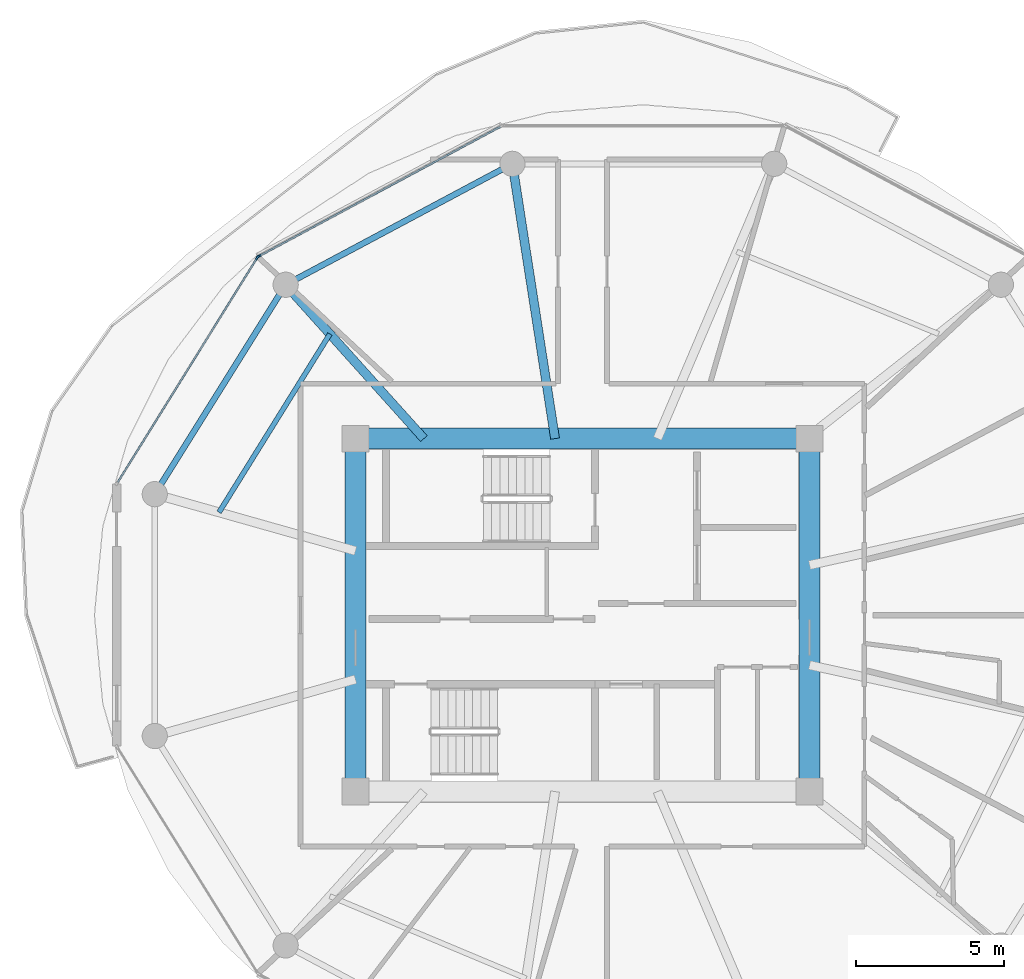
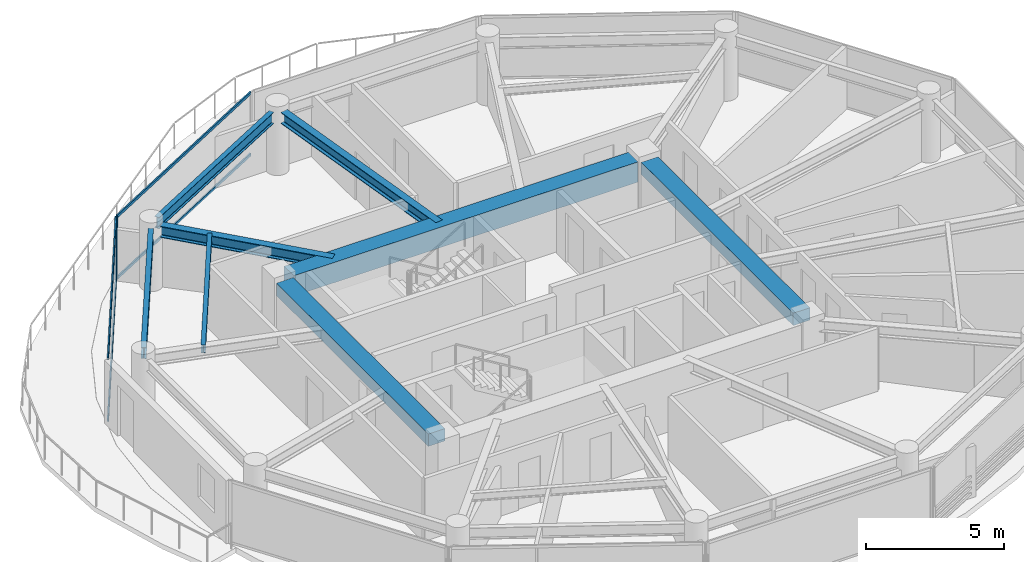
# One storey, part 4 of 24: 8 beams, 6 members, 2 elements without a shape of their own.
"""IFC4 building model written with IfcOpenShell, lengths in metres."""

from ifc_helpers import new_model, si_unit, direction, frame, origin, origin_2d, place, context, subcontext, project, spatial, rectangle, i_section, extrude, source, transform, mapped, material, layer, layer_set, material_profile, profile_set, type_object, type_shapes, element, aggregate, save


model = new_model("IFC4")

# Units and contexts
model_context = context("Model", 3, precision=1e-05, world=origin(), true_north=direction((0.0, 1.0)))
body_context = subcontext(model_context, "Body", "Model", "MODEL_VIEW")
ifc_project = project(units=[si_unit("LENGTHUNIT", "METRE"), si_unit("AREAUNIT", "SQUARE_METRE"), si_unit("VOLUMEUNIT", "CUBIC_METRE"), si_unit("PLANEANGLEUNIT", "RADIAN"), si_unit("MASSUNIT", "GRAM", prefix="KILO")], contexts=[model_context])

# Site, building, storey
site_placement = place(None, origin())
site = spatial("IfcSite", under=ifc_project, at=site_placement, CompositionType="ELEMENT")
building_placement = place(site_placement, origin())
building = spatial("IfcBuilding", under=site, at=building_placement, Name="Norrkilde Senior Care Towers", CompositionType="ELEMENT")
storey_placement = place(building_placement, frame((0.0, 0.0, 90.14990234375)))
storey = spatial("IfcBuildingStorey", under=building, at=storey_placement, Name="L27", CompositionType="ELEMENT", Elevation=90.14990234375)

# Beams
ifc_material_1 = material(Name="Concrete C60/75", Category="concrete")
ifc_material_profile_1 = material_profile(ifc_material_1, rectangle(XDim=0.699951171875, YDim=0.89990234375, at=origin_2d()), Name="RC BM 700x900")
ifc_profile_set_1 = profile_set([ifc_material_profile_1], Name="Concrete C60/75")
beam_type_1 = type_object("IfcBeamType", Name="Core Coupling Girder 700x900", PredefinedType="USERDEFINED", material=ifc_profile_set_1)
shared_shape_1 = source(origin(), body_context, "Body", "SweptSolid", [
    extrude(rectangle(XDim=0.699951171875, YDim=0.89990234375, at=origin_2d()), origin(), (0.0, 0.0, 1.0), 14.43994140625),
])
type_shapes(beam_type_1, [shared_shape_1])
beam_1_placement = place(storey_placement, frame((-35.219970703125, 5.949951171875, 2.340087890625), z_axis=(1.0, 0.0, 0.0), x_axis=(0.0, 1.0, 0.0)))
element("IfcBeam", 1, at=beam_1_placement, inside=storey, type_object=beam_type_1, Name="L27 Core W N Coupling Girder", ObjectType="GIRDER", PredefinedType="USERDEFINED", context=body_context, shape_type="MappedRepresentation", body=[
    mapped(shared_shape_1, transform((0.0, 0.0, 0.0), x_axis=(1.0, 0.0, 0.0), y_axis=(0.0, 1.0, 0.0), z_axis=(0.0, 0.0, 1.0), scale=1.0)),
])
ifc_material_profile_2 = material_profile(ifc_material_1, rectangle(XDim=0.699951171875, YDim=0.550048828125, at=origin_2d()), Name="RC BM 700x550")
ifc_profile_set_2 = profile_set([ifc_material_profile_2], Name="Concrete C60/75")
beam_type_2 = type_object("IfcBeamType", Name="Core Portal Coupling Beam 700x550", PredefinedType="USERDEFINED", material=ifc_profile_set_2)
shared_shape_2 = source(origin(), body_context, "Body", "SweptSolid", [
    extrude(rectangle(XDim=0.699951171875, YDim=0.550048828125, at=origin_2d()), origin(), (0.0, 0.0, 1.0), 11.0400390625),
])
type_shapes(beam_type_2, [shared_shape_2])
for number, where, z_axis, x_axis, name in (
    (2, (-35.64990234375, -5.52001953125, 2.51513671875), (0.0, 1.0, 0.0), (-1.0, 0.0, 0.0), "L27 Core W W Coupling Girder"),
    (3, (-20.35009765625, -5.52001953125, 2.51513671875), (0.0, 1.0, 0.0), (-1.0, 0.0, 0.0), "L27 Core W E Coupling Girder"),
):
    element("IfcBeam", number, at=place(storey_placement, frame(where, z_axis=z_axis, x_axis=x_axis)), inside=storey, type_object=beam_type_2, Name=name, ObjectType="GIRDER", PredefinedType="USERDEFINED", context=body_context, shape_type="MappedRepresentation", body=[
        mapped(shared_shape_2, transform((0.0, 0.0, 0.0), x_axis=(1.0, 0.0, 0.0), y_axis=(0.0, 1.0, 0.0), z_axis=(0.0, 0.0, 1.0), scale=1.0)),
    ])
ifc_material_2 = material(Name="Steel S355", Category="steel")
ifc_material_profile_3 = material_profile(ifc_material_2, i_section(OverallWidth=0.199951171875, OverallDepth=0.5, WebThickness=0.01025390625, FlangeThickness=0.01611328125, FilletRadius=0.02099609375, at=origin_2d()), Name="IPE 500")
ifc_profile_set_3 = profile_set([ifc_material_profile_3], Name="Steel S355")
beam_type_3 = type_object("IfcBeamType", Name="Perimeter Ring Spandrel Z2 IPE500", PredefinedType="SPANDREL", material=ifc_profile_set_3)
shared_shape_3 = source(origin(), body_context, "Body", "SweptSolid", [
    extrude(i_section(OverallWidth=0.199951171875, OverallDepth=0.5, WebThickness=0.01025390625, FlangeThickness=0.01611328125, FilletRadius=0.02099609375, at=origin_2d()), origin(), (0.0, 0.0, 1.0), 7.892333984375),
])
beam_2_placement = place(storey_placement, frame((-30.70263671875, 15.0322265625, 2.5400390625), z_axis=(-0.882350372282, -0.47059305194, 0.0), x_axis=(0.47059305194, -0.882350372282, 0.0)))
element("IfcBeam", 4, at=beam_2_placement, inside=storey, type_object=beam_type_3, Name="L27 Drum W Perimeter Spandrel 04", PredefinedType="SPANDREL", context=body_context, shape_type="MappedRepresentation", body=[
    mapped(shared_shape_3, transform((0.0, 0.0, 0.0), x_axis=(1.0, 0.0, 0.0), y_axis=(0.0, 1.0, 0.0), z_axis=(0.0, 0.0, 1.0), scale=1.0)),
])
ifc_material_profile_4 = material_profile(ifc_material_2, i_section(OverallWidth=0.300048828125, OverallDepth=0.5, WebThickness=0.014404296875, FlangeThickness=0.028076171875, FilletRadius=0.027099609375, at=origin_2d()), Name="HEB 500")
ifc_profile_set_4 = profile_set([ifc_material_profile_4], Name="Steel S355")
beam_type_4 = type_object("IfcBeamType", Name="Radial Floor Beam Z2 HEB500", PredefinedType="BEAM", material=ifc_profile_set_4)
shared_shape_4 = source(origin(), body_context, "Body", "SweptSolid", [
    extrude(i_section(OverallWidth=0.300048828125, OverallDepth=0.5, WebThickness=0.014404296875, FlangeThickness=0.028076171875, FilletRadius=0.027099609375, at=origin_2d()), origin(), (0.0, 0.0, 1.0), 8.989501953125),
])
beam_3_placement = place(storey_placement, frame((-28.924072265625, 5.949951171875, 2.5400390625), z_axis=(-0.153471298636, 0.988153105796, 0.0), x_axis=(-0.988153105796, -0.153471298636, 0.0)))
element("IfcBeam", 5, at=beam_3_placement, inside=storey, type_object=beam_type_4, Name="L27 Drum W Radial Floor Beam 04", PredefinedType="BEAM", context=body_context, shape_type="MappedRepresentation", body=[
    mapped(shared_shape_4, transform((0.0, 0.0, 0.0), x_axis=(1.0, 0.0, 0.0), y_axis=(0.0, 1.0, 0.0), z_axis=(0.0, 0.0, 1.0), scale=1.0)),
])
shared_shape_5 = source(origin(), body_context, "Body", "SweptSolid", [
    extrude(i_section(OverallWidth=0.199951171875, OverallDepth=0.5, WebThickness=0.01025390625, FlangeThickness=0.01611328125, FilletRadius=0.02099609375, at=origin_2d()), origin(), (0.0, 0.0, 1.0), 7.556396484375),
])
type_shapes(beam_type_3, [shared_shape_3, shared_shape_5])
beam_4_placement = place(storey_placement, frame((-38.210205078125, 10.810546875, 2.5400390625), z_axis=(-0.530004748437, -0.847994673706, 0.0), x_axis=(0.847994673706, -0.530004748437, 0.0)))
element("IfcBeam", 6, at=beam_4_placement, inside=storey, type_object=beam_type_3, Name="L27 Drum W Perimeter Spandrel 05", PredefinedType="SPANDREL", context=body_context, shape_type="MappedRepresentation", body=[
    mapped(shared_shape_5, transform((0.0, 0.0, 0.0), x_axis=(1.0, 0.0, 0.0), y_axis=(0.0, 1.0, 0.0), z_axis=(0.0, 0.0, 1.0), scale=1.0)),
])
shared_shape_6 = source(origin(), body_context, "Body", "SweptSolid", [
    extrude(i_section(OverallWidth=0.300048828125, OverallDepth=0.5, WebThickness=0.014404296875, FlangeThickness=0.028076171875, FilletRadius=0.027099609375, at=origin_2d()), origin(), (0.0, 0.0, 1.0), 6.587890625),
])
type_shapes(beam_type_4, [shared_shape_4, shared_shape_6])
beam_5_placement = place(storey_placement, frame((-33.345947265625, 5.949951171875, 2.5400390625), z_axis=(-0.668315438605, 0.743877997068, 0.0), x_axis=(-0.743877997068, -0.668315438605, 0.0)))
element("IfcBeam", 7, at=beam_5_placement, inside=storey, type_object=beam_type_4, Name="L27 Drum W Radial Floor Beam 05", PredefinedType="BEAM", context=body_context, shape_type="MappedRepresentation", body=[
    mapped(shared_shape_6, transform((0.0, 0.0, 0.0), x_axis=(1.0, 0.0, 0.0), y_axis=(0.0, 1.0, 0.0), z_axis=(0.0, 0.0, 1.0), scale=1.0)),
])
ifc_material_profile_5 = material_profile(ifc_material_2, i_section(OverallWidth=0.169921875, OverallDepth=0.360107421875, WebThickness=0.008056640625, FlangeThickness=0.0126953125, FilletRadius=0.01806640625, at=origin_2d()), Name="IPE 360")
ifc_profile_set_5 = profile_set([ifc_material_profile_5], Name="Steel S355")
beam_type_5 = type_object("IfcBeamType", Name="Secondary Floor Joist IPE360", PredefinedType="JOIST", material=ifc_profile_set_5)
shared_shape_7 = source(origin(), body_context, "Body", "SweptSolid", [
    extrude(i_section(OverallWidth=0.169921875, OverallDepth=0.360107421875, WebThickness=0.008056640625, FlangeThickness=0.0126953125, FilletRadius=0.01806640625, at=origin_2d()), origin(), (0.0, 0.0, 1.0), 7.080078125),
])
type_shapes(beam_type_5, [shared_shape_7])
beam_6_placement = place(storey_placement, frame((-36.514892578125, 9.47705078125, 2.610107421875), z_axis=(-0.527961009189, -0.849268610497, 0.0), x_axis=(0.849268610497, -0.527961009189, 0.0)))
element("IfcBeam", 8, at=beam_6_placement, inside=storey, type_object=beam_type_5, Name="L27 Drum W Secondary Floor Joist 2", PredefinedType="JOIST", context=body_context, shape_type="MappedRepresentation", body=[
    mapped(shared_shape_7, transform((0.0, 0.0, 0.0), x_axis=(1.0, 0.0, 0.0), y_axis=(0.0, 1.0, 0.0), z_axis=(0.0, 0.0, 1.0), scale=1.0)),
])

# Curtain wall, member
ifc_material_3 = material(Name="Triple Low-E Insulated Glazing", Category="glass")
ifc_layer = layer(ifc_material_3, 0.195068359375)
ifc_layer_set = layer_set([ifc_layer], Name="Triple Low-E Insulated Glazing")
curtain_wall_type = type_object("IfcCurtainWallType", Name="CW3 Zone 2 Assisted Living Curtain Wall", PredefinedType="NOTDEFINED", material=ifc_layer_set)
curtain_wall_1_placement = place(storey_placement, origin())
curtain_wall_1 = element("IfcCurtainWall", 9, at=curtain_wall_1_placement, inside=storey, type_object=curtain_wall_type, Name="L27 Drum W Curtain Wall 03", PredefinedType="NOTDEFINED")
ifc_material_4 = material(Name="Anodised Aluminium", Category="aluminium")
ifc_material_profile_6 = material_profile(ifc_material_4, rectangle(XDim=0.06494140625, YDim=0.159912109375, at=origin_2d()), Name="ALU MULL 65x160")
ifc_profile_set_6 = profile_set([ifc_material_profile_6], Name="Anodised Aluminium")
member_type_1 = type_object("IfcMemberType", Name="Curtain Wall Mullion Z1-Z2 65x160", PredefinedType="MULLION", material=ifc_profile_set_6)
shared_shape_8 = source(origin(), body_context, "Body", "SweptSolid", [
    extrude(rectangle(XDim=0.06494140625, YDim=0.159912109375, at=origin_2d()), origin(), (0.0, 0.0, 1.0), 2.7900390625),
])
type_shapes(member_type_1, [shared_shape_8])
member_1_placement = place(storey_placement, frame((-38.91796875, 12.0927734375, 0.0), z_axis=(0.0, 0.0, 1.0), x_axis=(-0.472769402511, 0.881186184668, 0.0)))
member_1 = element("IfcMember", 10, at=member_1_placement, type_object=member_type_1, Name="CW-3 mullion 1", PredefinedType="MULLION", context=body_context, shape_type="MappedRepresentation", body=[
    mapped(shared_shape_8, transform((0.0, 0.0, 0.0), x_axis=(1.0, 0.0, 0.0), y_axis=(0.0, 1.0, 0.0), z_axis=(0.0, 0.0, 1.0), scale=1.0)),
])

# Curtain wall, members
curtain_wall_2_placement = place(storey_placement, origin())
curtain_wall_2 = element("IfcCurtainWall", 11, at=curtain_wall_2_placement, inside=storey, type_object=curtain_wall_type, Name="L27 Drum W Curtain Wall 04", PredefinedType="NOTDEFINED")
member_2_placement = place(storey_placement, frame((-38.9638671875, 12.0498046875, 0.0), z_axis=(0.0, 0.0, 1.0), x_axis=(-0.849410171862, 0.527733228002, 0.0)))
member_2 = element("IfcMember", 12, at=member_2_placement, type_object=member_type_1, Name="CW-3 mullion 2", PredefinedType="MULLION", context=body_context, shape_type="MappedRepresentation", body=[
    mapped(shared_shape_8, transform((0.0, 0.0, 0.0), x_axis=(1.0, 0.0, 0.0), y_axis=(0.0, 1.0, 0.0), z_axis=(0.0, 0.0, 1.0), scale=1.0)),
])
ifc_material_profile_7 = material_profile(ifc_material_4, rectangle(XDim=0.06005859375, YDim=0.1201171875, at=origin_2d()), Name="ALU TRAN 60x120")
ifc_profile_set_7 = profile_set([ifc_material_profile_7], Name="Anodised Aluminium")
member_type_2 = type_object("IfcMemberType", Name="Curtain Wall Transom Typical 60x120", PredefinedType="USERDEFINED", material=ifc_profile_set_7)
shared_shape_9 = source(origin(), body_context, "Body", "SweptSolid", [
    extrude(rectangle(XDim=0.06005859375, YDim=0.1201171875, at=origin_2d()), origin(), (0.0, 0.0, 1.0), 8.88427734375),
])
member_3_placement = place(storey_placement, frame((-43.66943359375, 4.475830078125, 0.030029296875), z_axis=(0.527729466743, 0.849412508697, 0.0), x_axis=(-0.849412508697, 0.527729466743, 0.0)))
member_3 = element("IfcMember", 13, at=member_3_placement, type_object=member_type_2, Name="CW-3 transom 1.1", ObjectType="TRANSOM", PredefinedType="USERDEFINED", context=body_context, shape_type="MappedRepresentation", body=[
    mapped(shared_shape_9, transform((0.0, 0.0, 0.0), x_axis=(1.0, 0.0, 0.0), y_axis=(0.0, 1.0, 0.0), z_axis=(0.0, 0.0, 1.0), scale=1.0)),
])
member_4_placement = place(storey_placement, frame((-43.66943359375, 4.475830078125, 2.760009765625), z_axis=(0.527729466743, 0.849412508697, 0.0), x_axis=(-0.849412508697, 0.527729466743, 0.0)))
member_4 = element("IfcMember", 14, at=member_4_placement, type_object=member_type_2, Name="CW-3 transom 1.2", ObjectType="TRANSOM", PredefinedType="USERDEFINED", context=body_context, shape_type="MappedRepresentation", body=[
    mapped(shared_shape_9, transform((0.0, 0.0, 0.0), x_axis=(1.0, 0.0, 0.0), y_axis=(0.0, 1.0, 0.0), z_axis=(0.0, 0.0, 1.0), scale=1.0)),
])
aggregate(curtain_wall_2, [member_2, member_3, member_4])

# Member
shared_shape_10 = source(origin(), body_context, "Body", "SweptSolid", [
    extrude(rectangle(XDim=0.06005859375, YDim=0.1201171875, at=origin_2d()), origin(), (0.0, 0.0, 1.0), 9.220458984375),
])
type_shapes(member_type_2, [shared_shape_9, shared_shape_10])
member_5_placement = place(storey_placement, frame((-38.889404296875, 12.108154296875, 0.030029296875), z_axis=(0.881188517866, 0.472765053681, 0.0), x_axis=(-0.472765053681, 0.881188517866, 0.0)))
member_5 = element("IfcMember", 15, at=member_5_placement, type_object=member_type_2, Name="CW-3 transom 1.1", ObjectType="TRANSOM", PredefinedType="USERDEFINED", context=body_context, shape_type="MappedRepresentation", body=[
    mapped(shared_shape_10, transform((0.0, 0.0, 0.0), x_axis=(1.0, 0.0, 0.0), y_axis=(0.0, 1.0, 0.0), z_axis=(0.0, 0.0, 1.0), scale=1.0)),
])

member_6_placement = place(storey_placement, frame((-38.889404296875, 12.108154296875, 2.760009765625), z_axis=(0.881188517866, 0.472765053681, 0.0), x_axis=(-0.472765053681, 0.881188517866, 0.0)))
member_6 = element("IfcMember", 16, at=member_6_placement, type_object=member_type_2, Name="CW-3 transom 1.2", ObjectType="TRANSOM", PredefinedType="USERDEFINED", context=body_context, shape_type="MappedRepresentation", body=[
    mapped(shared_shape_10, transform((0.0, 0.0, 0.0), x_axis=(1.0, 0.0, 0.0), y_axis=(0.0, 1.0, 0.0), z_axis=(0.0, 0.0, 1.0), scale=1.0)),
])

aggregate(curtain_wall_1, [member_1, member_5, member_6])

save(model, "model.ifc")
